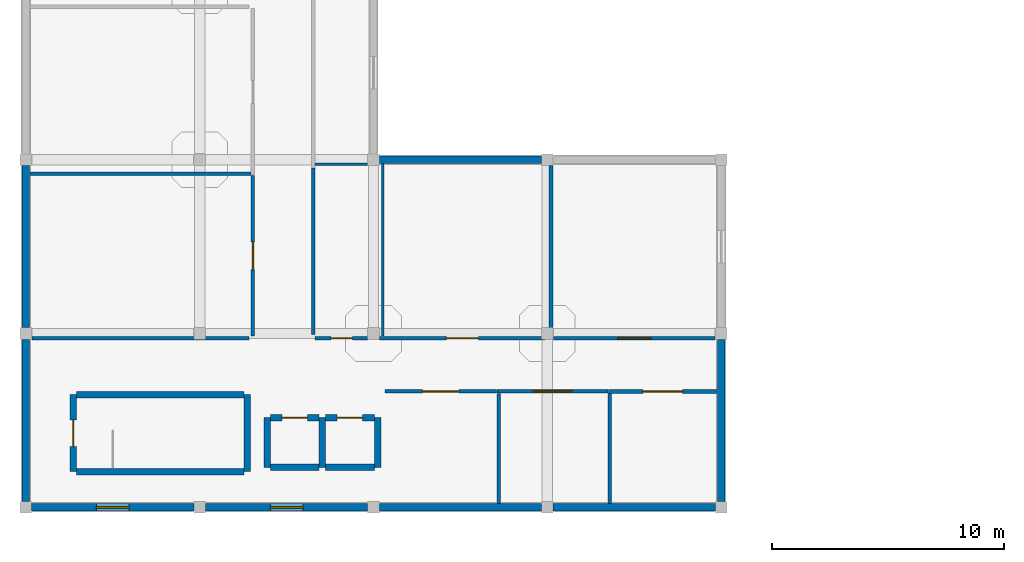
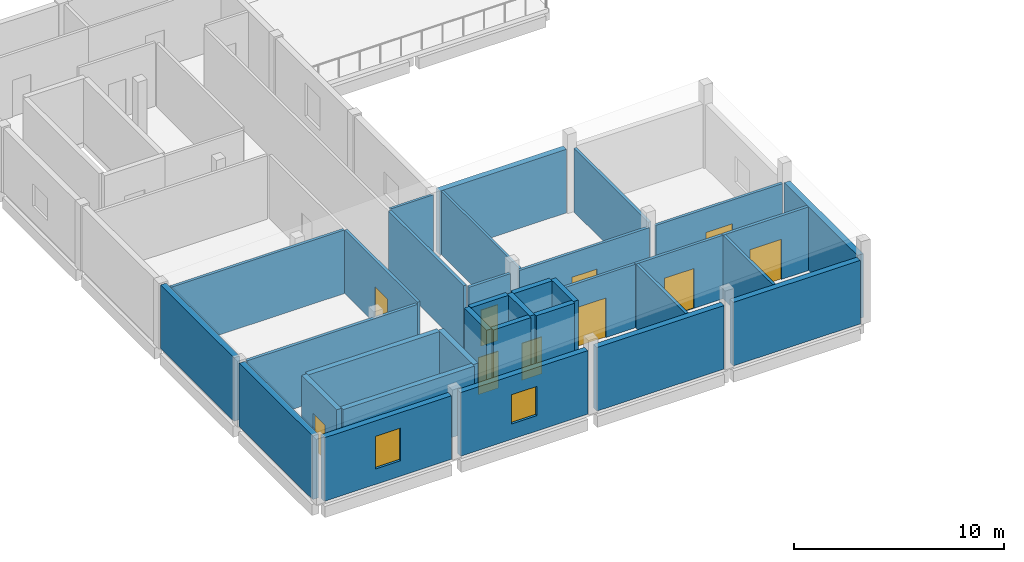
# One storey, part 3 of 8: 34 walls, 10 doors, 2 windows, 12 openings.
"""IFC4 building model written with IfcOpenShell, lengths in metres."""

import ifcopenshell
import ifcopenshell.guid

model = None  # the IFC model being written
_history = None  # IfcOwnerHistory: only IFC2X3 demands one
_inside = {}  # id of a spatial element -> (the spatial element, [elements in it])
_under = {}  # id of a project, library or spatial element -> (it, [spatial elements below it])
_declared = {}  # id of a project -> (the project, [libraries it declares])
_typed = {}  # id of a type object -> (the type object, [elements of that type])
_made_of = {}  # id of a material, layer set ... -> (it, [elements and type objects made of it])


def new_model(schema):
    """Start an empty IFC model of exactly this schema.

    Asked for "IFC4X3", IfcOpenShell would pick the latest addendum, in which some entities
    have other attributes; the version numbers below select the first issue.
    IFC2X3 requires an IfcOwnerHistory on every rooted entity: one is made here for all.
    """
    global model, _history
    if schema == "IFC4X3":
        model = ifcopenshell.file(schema_version=(4, 3, 0, 0))
    else:
        model = ifcopenshell.file(schema=schema)
    _inside.clear()
    _under.clear()
    _declared.clear()
    _typed.clear()
    _made_of.clear()
    _history = None
    if model.schema == "IFC2X3":
        org = make("IfcOrganization", Name="unknown")
        user = make(
            "IfcPersonAndOrganization",
            ThePerson=make("IfcPerson", FamilyName="unknown"),
            TheOrganization=org,
        )
        app = make(
            "IfcApplication",
            ApplicationDeveloper=org,
            Version="unknown",
            ApplicationFullName="unknown",
            ApplicationIdentifier="unknown",
        )
        _history = make(
            "IfcOwnerHistory",
            OwningUser=user,
            OwningApplication=app,
            ChangeAction="ADDED",
            CreationDate=0,
        )
    return model


def make(cls, **values):
    """One entity of the class cls with the attributes given. An attribute that is None is left unset."""
    return model.create_entity(
        cls, **{name: value for name, value in values.items() if value is not None}
    )


def rooted(cls, **values):
    """An entity with a GlobalId (a new one), such as an element, a storey or a relation."""
    return make(cls, GlobalId=ifcopenshell.guid.new(), OwnerHistory=_history, **values)


def si_unit(unit_type, name, prefix=None):
    """IfcSIUnit, for example si_unit("LENGTHUNIT", "METRE", prefix="MILLI")."""
    return make("IfcSIUnit", UnitType=unit_type, Prefix=prefix, Name=name)


def assignment(units):
    """IfcUnitAssignment: the units of a project."""
    return None if units is None else make("IfcUnitAssignment", Units=units)


def point(xyz):
    """IfcCartesianPoint."""
    return None if xyz is None else make("IfcCartesianPoint", Coordinates=xyz)


def direction(xyz):
    """IfcDirection."""
    return None if xyz is None else make("IfcDirection", DirectionRatios=xyz)


def frame(location, z_axis=None, x_axis=None):
    """IfcAxis2Placement3D, a coordinate frame: its origin and axes. An axis left out is left unset."""
    return make(
        "IfcAxis2Placement3D",
        Location=point(location),
        Axis=direction(z_axis),
        RefDirection=direction(x_axis),
    )


def frame_2d(location, x_axis=None):
    """IfcAxis2Placement2D, a coordinate frame in the plane: its origin and x axis."""
    return make(
        "IfcAxis2Placement2D", Location=point(location), RefDirection=direction(x_axis)
    )


def origin():
    """The frame at (0, 0, 0) with its axes left unset."""
    return frame((0.0, 0.0, 0.0))


def place(relative_to, where):
    """IfcLocalPlacement: puts the frame where relative to a parent placement (None: the world)."""
    return make(
        "IfcLocalPlacement", PlacementRelTo=relative_to, RelativePlacement=where
    )


def context(
    kind, dimensions, precision=None, world=None, true_north=None, identifier=None
):
    """IfcGeometricRepresentationContext, for example the 3D "Model" context."""
    return make(
        "IfcGeometricRepresentationContext",
        ContextIdentifier=identifier,
        ContextType=kind,
        CoordinateSpaceDimension=dimensions,
        Precision=precision,
        WorldCoordinateSystem=world,
        TrueNorth=true_north,
    )


def subcontext(parent, identifier, kind, view, scale=None):
    """IfcGeometricRepresentationSubContext, for example "Body" below "Model"."""
    return make(
        "IfcGeometricRepresentationSubContext",
        ContextIdentifier=identifier,
        ContextType=kind,
        ParentContext=parent,
        TargetScale=scale,
        TargetView=view,
    )


def project(units=None, contexts=None):
    """IfcProject with its units and contexts."""
    return rooted(
        "IfcProject",
        Name="project",
        RepresentationContexts=contexts,
        UnitsInContext=assignment(units),
    )


def spatial(cls, under=None, at=None, **own):
    """A site, building, storey or space (cls), placed at a placement, below another one or the project."""
    s = rooted(cls, ObjectPlacement=at, **own)
    if under is not None:
        _under.setdefault(under.id(), (under, []))[1].append(s)
    return s


def profile(cls, at=None, kind="AREA", **sizes):
    """A parametric profile (cls). Its sizes go by their IFC names, for example OverallWidth=200.0."""
    return make(cls, ProfileType=kind, Position=at, **sizes)


def rectangle(**sizes):
    """IfcRectangleProfileDef."""
    return profile("IfcRectangleProfileDef", **sizes)


def extrude(swept, where, along, depth):
    """IfcExtrudedAreaSolid: the profile swept, set in the frame where, extruded along a direction by depth."""
    return make(
        "IfcExtrudedAreaSolid",
        SweptArea=swept,
        Position=where,
        ExtrudedDirection=direction(along),
        Depth=depth,
    )


def shape(context_of_items, identifier, shape_type, items):
    """IfcShapeRepresentation: the items that make up one representation, for example the "Body"."""
    return make(
        "IfcShapeRepresentation",
        ContextOfItems=context_of_items,
        RepresentationIdentifier=identifier,
        RepresentationType=shape_type,
        Items=items,
    )


def material(Name=None, Category=None):
    """IfcMaterial."""
    return make("IfcMaterial", Name=Name, Category=Category)


def layer(
    of_material, thickness, ventilated=None, Name=None, Category=None, Priority=None
):
    """IfcMaterialLayer: one layer of a wall or slab, of a material (None: an air gap)."""
    return make(
        "IfcMaterialLayer",
        Material=of_material,
        LayerThickness=thickness,
        IsVentilated=ventilated,
        Name=Name,
        Category=Category,
        Priority=Priority,
    )


def layer_set(layers, Name=None):
    """IfcMaterialLayerSet."""
    return make("IfcMaterialLayerSet", MaterialLayers=layers, LayerSetName=Name)


def made_of(thing, what):
    """Note that an element or type object is made of a material, layer set ...; save() writes the relation."""
    if what is not None:
        _made_of.setdefault(what.id(), (what, []))[1].append(thing)
    return thing


def type_object(cls, material=None, **own):
    """A type object (cls), such as IfcWallType, which elements share."""
    return made_of(rooted(cls, **own), material)


def element(
    cls,
    number,
    at=None,
    inside=None,
    cuts=None,
    type_object=None,
    material=None,
    context=None,
    identifier="Body",
    shape_type=None,
    held_by="IfcProductDefinitionShape",
    body=None,
    shapes=None,
    **own,
):
    """One element of the class cls, such as IfcWall. Its Tag is "e" and its number.

    at: its placement. inside: the storey or other place that contains it. cuts: it is an
    opening in that element (IfcRelVoidsElement). A single representation is given by context,
    identifier, shape_type and body (its items); several are given by shapes. held_by: the class
    of the entity that holds the representations. save() writes the other relations.
    """
    e = rooted(cls, Tag="e%d" % number, ObjectPlacement=at, **own)
    if body is not None:
        shapes = [shape(context, identifier, shape_type, body)]
    if shapes is not None:
        e.Representation = make(held_by, Representations=shapes)
    if inside is not None:
        _inside.setdefault(inside.id(), (inside, []))[1].append(e)
    if cuts is not None:
        rooted(
            "IfcRelVoidsElement", RelatingBuildingElement=cuts, RelatedOpeningElement=e
        )
    if type_object is not None:
        _typed.setdefault(type_object.id(), (type_object, []))[1].append(e)
    return made_of(e, material)


def fill(opening, filler):
    """IfcRelFillsElement: the door or window that sits in an opening."""
    return rooted(
        "IfcRelFillsElement",
        RelatingOpeningElement=opening,
        RelatedBuildingElement=filler,
    )


def aggregate(whole, parts):
    """IfcRelAggregates: a whole, such as a stair, and the parts it consists of."""
    return rooted("IfcRelAggregates", RelatingObject=whole, RelatedObjects=parts)


def save(model, path):
    """Write the relations noted so far, then the file.

    IfcRelAggregates (storeys below a building ...), IfcRelContainedInSpatialStructure (elements
    in a storey), IfcRelDefinesByType, IfcRelAssociatesMaterial and IfcRelDeclares: one each for
    every whole, place, type object, material and project.
    """
    for whole, parts in _under.values():
        aggregate(whole, parts)
    for where, things in _inside.values():
        rooted(
            "IfcRelContainedInSpatialStructure",
            RelatedElements=things,
            RelatingStructure=where,
        )
    for kind, things in _typed.values():
        rooted("IfcRelDefinesByType", RelatedObjects=things, RelatingType=kind)
    for what, things in _made_of.values():
        rooted("IfcRelAssociatesMaterial", RelatedObjects=things, RelatingMaterial=what)
    for by, libraries in _declared.values():
        rooted("IfcRelDeclares", RelatingContext=by, RelatedDefinitions=libraries)
    model.write(path)


model = new_model("IFC4")

# Units and contexts
model_context = context("Model", 3, precision=1e-05, world=origin(), true_north=direction((0.0, 1.0)))
body_context = subcontext(model_context, "Body", "Model", "MODEL_VIEW")
ifc_project = project(units=[si_unit("LENGTHUNIT", "METRE"), si_unit("AREAUNIT", "SQUARE_METRE"), si_unit("VOLUMEUNIT", "CUBIC_METRE"), si_unit("PLANEANGLEUNIT", "RADIAN"), si_unit("MASSUNIT", "GRAM", prefix="KILO")], contexts=[model_context])

# Site, building, storey
site_placement = place(None, origin())
site = spatial("IfcSite", under=ifc_project, at=site_placement, CompositionType="ELEMENT")
building_placement = place(site_placement, origin())
building = spatial("IfcBuilding", under=site, at=building_placement, Name="Mawjan Specialist Oncology Clinic", CompositionType="ELEMENT")
storey_placement = place(building_placement, frame((0.0, 0.0, 21.5)))
storey = spatial("IfcBuildingStorey", under=building, at=storey_placement, Name="L05", CompositionType="ELEMENT", Elevation=21.5)

# Walls
ifc_material_1 = material(Name="Precast concrete C40/50", Category="concrete")
ifc_layer_1 = layer(ifc_material_1, 0.320068359375, Name="Precast concrete C40/50", Category="concrete")
ifc_layer_set_1 = layer_set([ifc_layer_1], Name="Precast concrete C40/50")
wall_type_1 = type_object("IfcWallType", Name="EW-320", PredefinedType="SOLIDWALL", material=ifc_layer_set_1)
for number, where, z_axis, x_axis, name in (
    (1, (15.25, 15.800048828125, 0.0), (0.0, 0.0, 1.0), (1.0, 0.0, 0.0), "L05 Coral-Limestone Exterior Wall EW-L05-379"),
    (2, (30.0, 8.050048828125, 0.0), (0.0, 0.0, 1.0), (0.0, -1.0, 0.0), "L05 Coral-Limestone Exterior Wall EW-L05-382"),
    (3, (29.75, 0.800048828125, 0.0), (0.0, 0.0, 1.0), (-1.0, 0.0, 0.0), "L05 Coral-Limestone Exterior Wall EW-L05-383"),
    (4, (22.25, 0.800048828125, 0.0), (0.0, 0.0, 1.0), (-1.0, 0.0, 0.0), "L05 Coral-Limestone Exterior Wall EW-L05-384"),
):
    element("IfcWall", number, at=place(storey_placement, frame(where, z_axis=z_axis, x_axis=x_axis)), inside=storey, type_object=wall_type_1, Name=name, PredefinedType="SOLIDWALL", context=body_context, shape_type="SweptSolid", body=[
        extrude(rectangle(XDim=7.0, YDim=0.320068359375, at=frame_2d((3.5, 0.0))), origin(), (0.0, 0.0, 1.0), 3.699951171875),
    ])

# Wall, opening, window
wall_1_placement = place(storey_placement, frame((14.75, 0.800048828125, 0.0), z_axis=(0.0, 0.0, 1.0), x_axis=(-1.0, 0.0, 0.0)))
wall_1 = element("IfcWall", 5, at=wall_1_placement, inside=storey, type_object=wall_type_1, Name="L05 Coral-Limestone Exterior Wall EW-L05-385", PredefinedType="SOLIDWALL", context=body_context, shape_type="SweptSolid", body=[
    extrude(rectangle(XDim=7.0, YDim=0.320068359375, at=frame_2d((3.5, 0.0))), origin(), (0.0, 0.0, 1.0), 3.699951171875),
])
opening_1_placement = place(wall_1_placement, frame((2.800048828125, 0.0, 0.89990234375)))
opening_1 = element("IfcOpeningElement", 6, at=opening_1_placement, cuts=wall_1, Name="Opening WN-15", PredefinedType="OPENING", context=body_context, shape_type="SweptSolid", body=[
    extrude(rectangle(XDim=1.39990234375, YDim=1.699951171875, at=frame_2d((0.699951171875, 0.85009765625))), frame((0.0, 0.172119140625, 0.0), z_axis=(0.0, -1.0, 0.0), x_axis=(1.0, 0.0, 0.0)), (0.0, 0.0, 1.0), 0.343994140625),
])
ifc_material_2 = material(Name="Thermally broken low-E clinical aluminium window", Category="aluminium")
window_type_1 = type_object("IfcWindowType", Name="WN-15", PartitioningType="SINGLE_PANEL", PredefinedType="WINDOW", material=ifc_material_2)
window_1_placement = place(opening_1_placement, origin())
window_1 = element("IfcWindow", 7, at=window_1_placement, inside=storey, type_object=window_type_1, Name="L05 Clinical Low-E Window 083", OverallHeight=1.699951171875, OverallWidth=1.39990234375, PartitioningType="SINGLE_PANEL", PredefinedType="WINDOW", context=body_context, shape_type="SweptSolid", body=[
    extrude(rectangle(XDim=1.39990234375, YDim=1.699951171875, at=frame_2d((0.699951171875, 0.85009765625))), frame((0.0, 0.030029296875, 0.0), z_axis=(0.0, -1.0, 0.0), x_axis=(1.0, 0.0, 0.0)), (0.0, 0.0, 1.0), 0.06005859375),
])
fill(opening_1, window_1)

wall_2_placement = place(storey_placement, frame((7.25, 0.800048828125, 0.0), z_axis=(0.0, 0.0, 1.0), x_axis=(-1.0, 0.0, 0.0)))
wall_2 = element("IfcWall", 8, at=wall_2_placement, inside=storey, type_object=wall_type_1, Name="L05 Coral-Limestone Exterior Wall EW-L05-386", PredefinedType="SOLIDWALL", context=body_context, shape_type="SweptSolid", body=[
    extrude(rectangle(XDim=7.0, YDim=0.320068359375, at=frame_2d((3.5, 0.0))), origin(), (0.0, 0.0, 1.0), 3.699951171875),
])
opening_2_placement = place(wall_2_placement, frame((2.800048828125, 0.0, 0.89990234375)))
opening_2 = element("IfcOpeningElement", 9, at=opening_2_placement, cuts=wall_2, Name="Opening WN-16", PredefinedType="OPENING", context=body_context, shape_type="SweptSolid", body=[
    extrude(rectangle(XDim=1.39990234375, YDim=1.89990234375, at=frame_2d((0.699951171875, 0.949951171875))), frame((0.0, 0.172119140625, 0.0), z_axis=(0.0, -1.0, 0.0), x_axis=(1.0, 0.0, 0.0)), (0.0, 0.0, 1.0), 0.343994140625),
])
ifc_material_3 = material(Name="Thermally broken low-E clinical aluminium window", Category="aluminium")
window_type_2 = type_object("IfcWindowType", Name="WN-16", PartitioningType="SINGLE_PANEL", PredefinedType="WINDOW", material=ifc_material_3)
window_2_placement = place(opening_2_placement, origin())
window_2 = element("IfcWindow", 10, at=window_2_placement, inside=storey, type_object=window_type_2, Name="L05 Clinical Low-E Window 084", OverallHeight=1.89990234375, OverallWidth=1.39990234375, PartitioningType="SINGLE_PANEL", PredefinedType="WINDOW", context=body_context, shape_type="SweptSolid", body=[
    extrude(rectangle(XDim=1.39990234375, YDim=1.89990234375, at=frame_2d((0.699951171875, 0.949951171875))), frame((0.0, 0.030029296875, 0.0), z_axis=(0.0, -1.0, 0.0), x_axis=(1.0, 0.0, 0.0)), (0.0, 0.0, 1.0), 0.06005859375),
])
fill(opening_2, window_2)

# Walls
for number, where, z_axis, x_axis, name in (
    (11, (0.0, 1.050048828125, 0.0), (0.0, 0.0, 1.0), (0.0, 1.0, 0.0), "L05 Coral-Limestone Exterior Wall EW-L05-387"),
    (12, (0.0, 8.550048828125, 0.0), (0.0, 0.0, 1.0), (0.0, 1.0, 0.0), "L05 Coral-Limestone Exterior Wall EW-L05-388"),
):
    element("IfcWall", number, at=place(storey_placement, frame(where, z_axis=z_axis, x_axis=x_axis)), inside=storey, type_object=wall_type_1, Name=name, PredefinedType="SOLIDWALL", context=body_context, shape_type="SweptSolid", body=[
        extrude(rectangle(XDim=7.0, YDim=0.320068359375, at=frame_2d((3.5, 0.0))), origin(), (0.0, 0.0, 1.0), 3.699951171875),
    ])
ifc_material_4 = material(Name="Concrete C45/55", Category="concrete")
ifc_layer_2 = layer(ifc_material_4, 0.280029296875, Name="Concrete C45/55", Category="concrete")
ifc_layer_set_2 = layer_set([ifc_layer_2], Name="Concrete C45/55")
wall_type_2 = type_object("IfcWallType", Name="SW-300", PredefinedType="SHEAR", material=ifc_layer_set_2)
wall_3_placement = place(storey_placement, frame((2.18505859375, 2.340087890625, 0.0), z_axis=(0.0, 0.0, 1.0), x_axis=(1.0, 0.0, 0.0)))
element("IfcWall", 13, at=wall_3_placement, inside=storey, type_object=wall_type_2, Name="L05 Core K1 Stair Shear Wall 1", PredefinedType="SHEAR", context=body_context, shape_type="SweptSolid", body=[
    extrude(rectangle(XDim=7.22998046875, YDim=0.280029296875, at=frame_2d((3.614990234375, 0.0))), origin(), (0.0, 0.0, 1.0), 3.719970703125),
])
wall_4_placement = place(storey_placement, frame((9.56005859375, 2.340087890625, 0.0), z_axis=(0.0, 0.0, 1.0), x_axis=(0.0, 1.0, 0.0)))
element("IfcWall", 14, at=wall_4_placement, inside=storey, type_object=wall_type_2, Name="L05 Core K1 Stair Shear Wall 2", PredefinedType="SHEAR", context=body_context, shape_type="SweptSolid", body=[
    extrude(rectangle(XDim=3.31982421875, YDim=0.280029296875, at=frame_2d((1.659912109375, 0.0))), origin(), (0.0, 0.0, 1.0), 3.719970703125),
])
wall_5_placement = place(storey_placement, frame((9.4150390625, 5.659912109375, 0.0), z_axis=(0.0, 0.0, 1.0), x_axis=(-1.0, 0.0, 0.0)))
element("IfcWall", 15, at=wall_5_placement, inside=storey, type_object=wall_type_2, Name="L05 Core K1 Stair Shear Wall 3", PredefinedType="SHEAR", context=body_context, shape_type="SweptSolid", body=[
    extrude(rectangle(XDim=7.22998046875, YDim=0.280029296875, at=frame_2d((3.614990234375, 0.0))), origin(), (0.0, 0.0, 1.0), 3.719970703125),
])

# Wall, opening, door
wall_6_placement = place(storey_placement, frame((2.0400390625, 5.659912109375, 0.0), z_axis=(0.0, 0.0, 1.0), x_axis=(0.0, -1.0, 0.0)))
wall_6 = element("IfcWall", 16, at=wall_6_placement, inside=storey, type_object=wall_type_2, Name="L05 Core K1 Stair Shear Wall 4", PredefinedType="SHEAR", context=body_context, shape_type="SweptSolid", body=[
    extrude(rectangle(XDim=3.31982421875, YDim=0.280029296875, at=frame_2d((1.659912109375, 0.0))), origin(), (0.0, 0.0, 1.0), 3.719970703125),
])
opening_3_placement = place(wall_6_placement, frame((1.0849609375, 0.0, 0.0)))
opening_3 = element("IfcOpeningElement", 17, at=opening_3_placement, cuts=wall_6, Name="Opening FD-90", PredefinedType="OPENING", context=body_context, shape_type="SweptSolid", body=[
    extrude(rectangle(XDim=1.14990234375, YDim=2.14990234375, at=frame_2d((0.574951171875, 1.074951171875))), frame((0.0, 0.152099609375, 0.0), z_axis=(0.0, -1.0, 0.0), x_axis=(1.0, 0.0, 0.0)), (0.0, 0.0, 1.0), 0.303955078125),
])
ifc_material_5 = material(Name="Stainless-steel fire-rated hospital door", Category="steel")
door_type_1 = type_object("IfcDoorType", Name="FD-90", OperationType="NOTDEFINED", PredefinedType="DOOR", material=ifc_material_5)
door_1_placement = place(opening_3_placement, origin())
door_1 = element("IfcDoor", 18, at=door_1_placement, inside=storey, type_object=door_type_1, Name="L05 ST-01 Fire Exit Stair Door", OperationType="SINGLE_SWING_RIGHT", OverallHeight=2.14990234375, OverallWidth=1.14990234375, PredefinedType="DOOR", context=body_context, shape_type="SweptSolid", body=[
    extrude(rectangle(XDim=1.14990234375, YDim=2.14990234375, at=frame_2d((0.574951171875, 1.074951171875))), frame((0.0, 0.02490234375, 0.0), z_axis=(0.0, -1.0, 0.0), x_axis=(1.0, 0.0, 0.0)), (0.0, 0.0, 1.0), 0.050048828125),
])
fill(opening_3, door_1)

# Walls
wall_7_placement = place(storey_placement, frame((10.5615234375, 2.529296875, 0.0), z_axis=(0.0, 0.0, 1.0), x_axis=(1.0, 0.0, 0.0)))
element("IfcWall", 19, at=wall_7_placement, inside=storey, type_object=wall_type_2, Name="L05 LF-03 Hoistway Wall 1", PredefinedType="SHEAR", context=body_context, shape_type="SweptSolid", body=[
    extrude(rectangle(XDim=2.076904296875, YDim=0.280029296875, at=frame_2d((1.03857421875, 0.0))), origin(), (0.0, 0.0, 1.0), 5.300048828125),
])
wall_8_placement = place(storey_placement, frame((12.783447265625, 2.529296875, 0.0), z_axis=(0.0, 0.0, 1.0), x_axis=(0.0, 1.0, 0.0)))
element("IfcWall", 20, at=wall_8_placement, inside=storey, type_object=wall_type_2, Name="L05 LF-03 Hoistway Wall 2", PredefinedType="SHEAR", context=body_context, shape_type="SweptSolid", body=[
    extrude(rectangle(XDim=2.141357421875, YDim=0.280029296875, at=frame_2d((1.07080078125, 0.0))), origin(), (0.0, 0.0, 1.0), 5.300048828125),
])

# Wall, opening, door
wall_9_placement = place(storey_placement, frame((12.638427734375, 4.670654296875, 0.0), z_axis=(0.0, 0.0, 1.0), x_axis=(-1.0, 0.0, 0.0)))
wall_9 = element("IfcWall", 21, at=wall_9_placement, inside=storey, type_object=wall_type_2, Name="L05 LF-03 Hoistway Wall 3", PredefinedType="SHEAR", context=body_context, shape_type="SweptSolid", body=[
    extrude(rectangle(XDim=2.076904296875, YDim=0.280029296875, at=frame_2d((1.03857421875, 0.0))), origin(), (0.0, 0.0, 1.0), 5.300048828125),
])
opening_4_placement = place(wall_9_placement, frame((0.488525390625, 0.0, 0.0)))
opening_4 = element("IfcOpeningElement", 22, at=opening_4_placement, cuts=wall_9, Name="Opening LD-03-L05", PredefinedType="OPENING", context=body_context, shape_type="SweptSolid", body=[
    extrude(rectangle(XDim=1.10009765625, YDim=2.14990234375, at=frame_2d((0.550048828125, 1.074951171875))), frame((0.0, 0.152099609375, 0.0), z_axis=(0.0, -1.0, 0.0), x_axis=(1.0, 0.0, 0.0)), (0.0, 0.0, 1.0), 0.303955078125),
])
ifc_material_6 = material(Name="Stainless-steel fire-rated hospital door", Category="steel")
door_type_2 = type_object("IfcDoorType", Name="LD-110", OperationType="SLIDING_TO_RIGHT", PredefinedType="DOOR", material=ifc_material_6)
door_2_placement = place(opening_4_placement, origin())
door_2 = element("IfcDoor", 23, at=door_2_placement, inside=storey, type_object=door_type_2, Name="L05 LF-03 Sliding Lift Landing Door", OperationType="SLIDING_TO_LEFT", OverallHeight=2.14990234375, OverallWidth=1.10009765625, PredefinedType="DOOR", context=body_context, shape_type="SweptSolid", body=[
    extrude(rectangle(XDim=1.10009765625, YDim=2.14990234375, at=frame_2d((0.550048828125, 1.074951171875))), frame((0.0, 0.02490234375, 0.0), z_axis=(0.0, -1.0, 0.0), x_axis=(1.0, 0.0, 0.0)), (0.0, 0.0, 1.0), 0.050048828125),
])
fill(opening_4, door_2)

# Walls
wall_10_placement = place(storey_placement, frame((10.41650390625, 4.670654296875, 0.0), z_axis=(0.0, 0.0, 1.0), x_axis=(0.0, -1.0, 0.0)))
element("IfcWall", 24, at=wall_10_placement, inside=storey, type_object=wall_type_2, Name="L05 LF-03 Hoistway Wall 4", PredefinedType="SHEAR", context=body_context, shape_type="SweptSolid", body=[
    extrude(rectangle(XDim=2.141357421875, YDim=0.280029296875, at=frame_2d((1.07080078125, 0.0))), origin(), (0.0, 0.0, 1.0), 5.300048828125),
])
wall_11_placement = place(storey_placement, frame((12.928466796875, 2.529296875, 0.0), z_axis=(0.0, 0.0, 1.0), x_axis=(1.0, 0.0, 0.0)))
element("IfcWall", 25, at=wall_11_placement, inside=storey, type_object=wall_type_2, Name="L05 LF-04 Hoistway Wall 1", PredefinedType="SHEAR", context=body_context, shape_type="SweptSolid", body=[
    extrude(rectangle(XDim=2.110107421875, YDim=0.280029296875, at=frame_2d((1.05517578125, 0.0))), origin(), (0.0, 0.0, 1.0), 5.300048828125),
])
wall_12_placement = place(storey_placement, frame((15.18359375, 2.529296875, 0.0), z_axis=(0.0, 0.0, 1.0), x_axis=(0.0, 1.0, 0.0)))
element("IfcWall", 26, at=wall_12_placement, inside=storey, type_object=wall_type_2, Name="L05 LF-04 Hoistway Wall 2", PredefinedType="SHEAR", context=body_context, shape_type="SweptSolid", body=[
    extrude(rectangle(XDim=2.141357421875, YDim=0.280029296875, at=frame_2d((1.07080078125, 0.0))), origin(), (0.0, 0.0, 1.0), 5.300048828125),
])

# Wall, opening, door
wall_13_placement = place(storey_placement, frame((15.03857421875, 4.670654296875, 0.0), z_axis=(0.0, 0.0, 1.0), x_axis=(-1.0, 0.0, 0.0)))
wall_13 = element("IfcWall", 27, at=wall_13_placement, inside=storey, type_object=wall_type_2, Name="L05 LF-04 Hoistway Wall 3", PredefinedType="SHEAR", context=body_context, shape_type="SweptSolid", body=[
    extrude(rectangle(XDim=2.110107421875, YDim=0.280029296875, at=frame_2d((1.05517578125, 0.0))), origin(), (0.0, 0.0, 1.0), 5.300048828125),
])
opening_5_placement = place(wall_13_placement, frame((0.5048828125, 0.0, 0.0)))
opening_5 = element("IfcOpeningElement", 28, at=opening_5_placement, cuts=wall_13, Name="Opening LD-04-L05", PredefinedType="OPENING", context=body_context, shape_type="SweptSolid", body=[
    extrude(rectangle(XDim=1.10009765625, YDim=2.14990234375, at=frame_2d((0.550048828125, 1.074951171875))), frame((0.0, 0.152099609375, 0.0), z_axis=(0.0, -1.0, 0.0), x_axis=(1.0, 0.0, 0.0)), (0.0, 0.0, 1.0), 0.303955078125),
])
door_3_placement = place(opening_5_placement, origin())
door_3 = element("IfcDoor", 29, at=door_3_placement, inside=storey, type_object=door_type_2, Name="L05 LF-04 Sliding Lift Landing Door", OperationType="SLIDING_TO_RIGHT", OverallHeight=2.14990234375, OverallWidth=1.10009765625, PredefinedType="DOOR", context=body_context, shape_type="SweptSolid", body=[
    extrude(rectangle(XDim=1.10009765625, YDim=2.14990234375, at=frame_2d((0.550048828125, 1.074951171875))), frame((0.0, 0.02490234375, 0.0), z_axis=(0.0, -1.0, 0.0), x_axis=(1.0, 0.0, 0.0)), (0.0, 0.0, 1.0), 0.050048828125),
])
fill(opening_5, door_3)

# Walls
ifc_material_7 = material(Name="Moisture-resistant washroom partition", Category="gypsum")
ifc_layer_3 = layer(ifc_material_7, 0.125, Name="Moisture-resistant washroom partition", Category="gypsum")
ifc_layer_set_3 = layer_set([ifc_layer_3], Name="Moisture-resistant washroom partition")
wall_type_3 = type_object("IfcWallType", Name="WP-125", PredefinedType="PARTITIONING", material=ifc_layer_set_3)
wall_14_placement = place(storey_placement, frame((12.485107421875, 15.60009765625, 0.0), z_axis=(0.0, 0.0, 1.0), x_axis=(1.0, 0.0, 0.0)))
element("IfcWall", 30, at=wall_14_placement, inside=storey, type_object=wall_type_3, Name="L05 Interior Partition W-INT-L05-534-R", PredefinedType="PARTITIONING", context=body_context, shape_type="SweptSolid", body=[
    extrude(rectangle(XDim=2.38037109375, YDim=0.125, at=frame_2d((1.190185546875, 0.0))), origin(), (0.0, 0.0, 1.0), 3.699951171875),
])
wall_15_placement = place(storey_placement, frame((15.39990234375, 8.18701171875, 0.0), z_axis=(0.0, 0.0, 1.0), x_axis=(0.0, 1.0, 0.0)))
element("IfcWall", 31, at=wall_15_placement, inside=storey, type_object=wall_type_3, Name="L05 Interior Partition W-INT-L05-0521-D0", PredefinedType="PARTITIONING", context=body_context, shape_type="SweptSolid", body=[
    extrude(rectangle(XDim=7.44091796875, YDim=0.125, at=frame_2d((3.720458984375, 0.0))), origin(), (0.0, 0.0, 1.0), 3.699951171875),
])

# Wall, opening, door
ifc_material_8 = material(Name="Acoustic gypsum clinical partition", Category="gypsum")
ifc_layer_4 = layer(ifc_material_8, 0.14990234375, Name="Acoustic gypsum clinical partition", Category="gypsum")
ifc_layer_set_4 = layer_set([ifc_layer_4], Name="Acoustic gypsum clinical partition")
wall_type_4 = type_object("IfcWallType", Name="WP-150", PredefinedType="PARTITIONING", material=ifc_layer_set_4)
wall_16_placement = place(storey_placement, frame((15.485107421875, 5.800048828125, 0.0), z_axis=(0.0, 0.0, 1.0), x_axis=(1.0, 0.0, 0.0)))
wall_16 = element("IfcWall", 32, at=wall_16_placement, inside=storey, type_object=wall_type_4, Name="L05 Interior Partition W-INT-L05-501-C", PredefinedType="PARTITIONING", context=body_context, shape_type="SweptSolid", body=[
    extrude(rectangle(XDim=4.829833984375, YDim=0.14990234375, at=frame_2d((2.4150390625, 0.0))), origin(), (0.0, 0.0, 1.0), 3.699951171875),
])
opening_6_placement = place(wall_16_placement, frame((1.635009765625, 0.0, 0.0)))
opening_6 = element("IfcOpeningElement", 33, at=opening_6_placement, cuts=wall_16, Name="Opening DC-156", PredefinedType="OPENING", context=body_context, shape_type="SweptSolid", body=[
    extrude(rectangle(XDim=1.56005859375, YDim=2.300048828125, at=frame_2d((0.780029296875, 1.14990234375))), frame((0.0, 0.0869140625, 0.0), z_axis=(0.0, -1.0, 0.0), x_axis=(1.0, 0.0, 0.0)), (0.0, 0.0, 1.0), 0.173828125),
])
ifc_material_9 = material(Name="Acoustic laminate hospital door leaf", Category="wood")
door_type_3 = type_object("IfcDoorType", Name="DC-156", OperationType="NOTDEFINED", PredefinedType="DOOR", material=ifc_material_9)
door_4_placement = place(opening_6_placement, origin())
door_4 = element("IfcDoor", 34, at=door_4_placement, inside=storey, type_object=door_type_3, Name="L05 Senior Specialist Consulting Room Door", OperationType="SINGLE_SWING_LEFT", OverallHeight=2.300048828125, OverallWidth=1.56005859375, PredefinedType="DOOR", context=body_context, shape_type="SweptSolid", body=[
    extrude(rectangle(XDim=1.56005859375, YDim=2.300048828125, at=frame_2d((0.780029296875, 1.14990234375))), frame((0.0, 0.02490234375, 0.0), z_axis=(0.0, -1.0, 0.0), x_axis=(1.0, 0.0, 0.0)), (0.0, 0.0, 1.0), 0.050048828125),
])
fill(opening_6, door_4)

wall_17_placement = place(storey_placement, frame((20.326904296875, 5.800048828125, 0.0), z_axis=(0.0, 0.0, 1.0), x_axis=(1.0, 0.0, 0.0)))
wall_17 = element("IfcWall", 35, at=wall_17_placement, inside=storey, type_object=wall_type_4, Name="L05 Interior Partition W-INT-L05-502-C", PredefinedType="PARTITIONING", context=body_context, shape_type="SweptSolid", body=[
    extrude(rectangle(XDim=4.7880859375, YDim=0.14990234375, at=frame_2d((2.39404296875, 0.0))), origin(), (0.0, 0.0, 1.0), 3.699951171875),
])
opening_7_placement = place(wall_17_placement, frame((1.569091796875, 0.0, 0.0)))
opening_7 = element("IfcOpeningElement", 36, at=opening_7_placement, cuts=wall_17, Name="Opening DC-165", PredefinedType="OPENING", context=body_context, shape_type="SweptSolid", body=[
    extrude(rectangle(XDim=1.64990234375, YDim=2.320068359375, at=frame_2d((0.824951171875, 1.16015625))), frame((0.0, 0.0869140625, 0.0), z_axis=(0.0, -1.0, 0.0), x_axis=(1.0, 0.0, 0.0)), (0.0, 0.0, 1.0), 0.173828125),
])
ifc_material_10 = material(Name="Acoustic laminate hospital door leaf", Category="wood")
door_type_4 = type_object("IfcDoorType", Name="DC-165", OperationType="NOTDEFINED", PredefinedType="DOOR", material=ifc_material_10)
door_5_placement = place(opening_7_placement, origin())
door_5 = element("IfcDoor", 37, at=door_5_placement, inside=storey, type_object=door_type_4, Name="L05 Tele-Oncology Review Room Door", OperationType="SINGLE_SWING_RIGHT", OverallHeight=2.320068359375, OverallWidth=1.64990234375, PredefinedType="DOOR", context=body_context, shape_type="SweptSolid", body=[
    extrude(rectangle(XDim=1.64990234375, YDim=2.320068359375, at=frame_2d((0.824951171875, 1.16015625))), frame((0.0, 0.02490234375, 0.0), z_axis=(0.0, -1.0, 0.0), x_axis=(1.0, 0.0, 0.0)), (0.0, 0.0, 1.0), 0.050048828125),
])
fill(opening_7, door_5)

wall_18_placement = place(storey_placement, frame((15.261962890625, 8.10009765625, 0.0), z_axis=(0.0, 0.0, 1.0), x_axis=(1.0, 0.0, 0.0)))
wall_18 = element("IfcWall", 38, at=wall_18_placement, inside=storey, type_object=wall_type_4, Name="L05 Interior Partition W-INT-L05-0521-C", PredefinedType="PARTITIONING", context=body_context, shape_type="SweptSolid", body=[
    extrude(rectangle(XDim=7.14599609375, YDim=0.14990234375, at=frame_2d((3.572998046875, 0.0))), origin(), (0.0, 0.0, 1.0), 3.699951171875),
])
opening_8_placement = place(wall_18_placement, frame((2.883056640625, 0.0, 0.0)))
opening_8 = element("IfcOpeningElement", 39, at=opening_8_placement, cuts=wall_18, Name="Opening DM-MRI", PredefinedType="OPENING", context=body_context, shape_type="SweptSolid", body=[
    extrude(rectangle(XDim=1.3798828125, YDim=2.300048828125, at=frame_2d((0.68994140625, 1.14990234375))), frame((0.0, 0.0869140625, 0.0), z_axis=(0.0, -1.0, 0.0), x_axis=(1.0, 0.0, 0.0)), (0.0, 0.0, 1.0), 0.173828125),
])
ifc_material_11 = material(Name="Acoustic laminate hospital door leaf", Category="wood")
door_type_5 = type_object("IfcDoorType", Name="DM-MRI", OperationType="NOTDEFINED", PredefinedType="DOOR", material=ifc_material_11)
door_6_placement = place(opening_8_placement, origin())
door_6 = element("IfcDoor", 40, at=door_6_placement, inside=storey, type_object=door_type_5, Name="L05 Specialist Diagnostic Exam Room Door", OperationType="SINGLE_SWING_LEFT", OverallHeight=2.300048828125, OverallWidth=1.3798828125, PredefinedType="DOOR", context=body_context, shape_type="SweptSolid", body=[
    extrude(rectangle(XDim=1.3798828125, YDim=2.300048828125, at=frame_2d((0.68994140625, 1.14990234375))), frame((0.0, 0.02490234375, 0.0), z_axis=(0.0, -1.0, 0.0), x_axis=(1.0, 0.0, 0.0)), (0.0, 0.0, 1.0), 0.050048828125),
])
fill(opening_8, door_6)

wall_19_placement = place(storey_placement, frame((22.761962890625, 8.10009765625, 0.0), z_axis=(0.0, 0.0, 1.0), x_axis=(1.0, 0.0, 0.0)))
wall_19 = element("IfcWall", 41, at=wall_19_placement, inside=storey, type_object=wall_type_4, Name="L05 Interior Partition W-INT-L05-0522-C", PredefinedType="PARTITIONING", context=body_context, shape_type="SweptSolid", body=[
    extrude(rectangle(XDim=6.97607421875, YDim=0.14990234375, at=frame_2d((3.488037109375, 0.0))), origin(), (0.0, 0.0, 1.0), 3.699951171875),
])
opening_9_placement = place(wall_19_placement, frame((2.76806640625, 0.0, 0.0)))
opening_9 = element("IfcOpeningElement", 42, at=opening_9_placement, cuts=wall_19, Name="Opening DM-CT", PredefinedType="OPENING", context=body_context, shape_type="SweptSolid", body=[
    extrude(rectangle(XDim=1.43994140625, YDim=2.320068359375, at=frame_2d((0.719970703125, 1.16015625))), frame((0.0, 0.0869140625, 0.0), z_axis=(0.0, -1.0, 0.0), x_axis=(1.0, 0.0, 0.0)), (0.0, 0.0, 1.0), 0.173828125),
])
ifc_material_12 = material(Name="Acoustic laminate hospital door leaf", Category="wood")
door_type_6 = type_object("IfcDoorType", Name="DM-CT", OperationType="NOTDEFINED", PredefinedType="DOOR", material=ifc_material_12)
door_7_placement = place(opening_9_placement, origin())
door_7 = element("IfcDoor", 43, at=door_7_placement, inside=storey, type_object=door_type_6, Name="L05 Oncology Nurse Counseling Room Door", OperationType="SINGLE_SWING_RIGHT", OverallHeight=2.320068359375, OverallWidth=1.43994140625, PredefinedType="DOOR", context=body_context, shape_type="SweptSolid", body=[
    extrude(rectangle(XDim=1.43994140625, YDim=2.320068359375, at=frame_2d((0.719970703125, 1.16015625))), frame((0.0, 0.02490234375, 0.0), z_axis=(0.0, -1.0, 0.0), x_axis=(1.0, 0.0, 0.0)), (0.0, 0.0, 1.0), 0.050048828125),
])
fill(opening_9, door_7)

wall_20_placement = place(storey_placement, frame((9.800048828125, 8.18505859375, 0.0), z_axis=(0.0, 0.0, 1.0), x_axis=(0.0, 1.0, 0.0)))
wall_20 = element("IfcWall", 44, at=wall_20_placement, inside=storey, type_object=wall_type_4, Name="L05 Interior Partition W-INT-L05-0531-V", PredefinedType="PARTITIONING", context=body_context, shape_type="SweptSolid", body=[
    extrude(rectangle(XDim=6.929931640625, YDim=0.14990234375, at=frame_2d((3.46484375, 0.0))), origin(), (0.0, 0.0, 1.0), 3.699951171875),
])
opening_10_placement = place(wall_20_placement, frame((2.864990234375, 0.0, 0.0)))
opening_10 = element("IfcOpeningElement", 45, at=opening_10_placement, cuts=wall_20, Name="Opening DC-120", PredefinedType="OPENING", context=body_context, shape_type="SweptSolid", body=[
    extrude(rectangle(XDim=1.199951171875, YDim=2.14990234375, at=frame_2d((0.60009765625, 1.074951171875))), frame((0.0, 0.0869140625, 0.0), z_axis=(0.0, -1.0, 0.0), x_axis=(1.0, 0.0, 0.0)), (0.0, 0.0, 1.0), 0.173828125),
])
ifc_material_13 = material(Name="Acoustic laminate hospital door leaf", Category="wood")
door_type_7 = type_object("IfcDoorType", Name="DC-120", OperationType="NOTDEFINED", PredefinedType="DOOR", material=ifc_material_13)
door_8_placement = place(opening_10_placement, origin())
door_8 = element("IfcDoor", 46, at=door_8_placement, inside=storey, type_object=door_type_7, Name="L05 Outpatient Consultation Room Door", OperationType="SINGLE_SWING_LEFT", OverallHeight=2.14990234375, OverallWidth=1.199951171875, PredefinedType="DOOR", context=body_context, shape_type="SweptSolid", body=[
    extrude(rectangle(XDim=1.199951171875, YDim=2.14990234375, at=frame_2d((0.60009765625, 1.074951171875))), frame((0.0, 0.02490234375, 0.0), z_axis=(0.0, -1.0, 0.0), x_axis=(1.0, 0.0, 0.0)), (0.0, 0.0, 1.0), 0.050048828125),
])
fill(opening_10, door_8)

wall_21_placement = place(storey_placement, frame((12.485107421875, 8.10009765625, 0.0), z_axis=(0.0, 0.0, 1.0), x_axis=(1.0, 0.0, 0.0)))
wall_21 = element("IfcWall", 47, at=wall_21_placement, inside=storey, type_object=wall_type_4, Name="L05 Interior Partition W-INT-L05-534-C", PredefinedType="PARTITIONING", context=body_context, shape_type="SweptSolid", body=[
    extrude(rectangle(XDim=2.284912109375, YDim=0.14990234375, at=frame_2d((1.142578125, 0.0))), origin(), (0.0, 0.0, 1.0), 3.699951171875),
])
opening_11_placement = place(wall_21_placement, frame((0.6826171875, 0.0, 0.0)))
opening_11 = element("IfcOpeningElement", 48, at=opening_11_placement, cuts=wall_21, Name="Opening DI-92", PredefinedType="OPENING", context=body_context, shape_type="SweptSolid", body=[
    extrude(rectangle(XDim=0.919921875, YDim=2.10009765625, at=frame_2d((0.4599609375, 1.050048828125))), frame((0.0, 0.0869140625, 0.0), z_axis=(0.0, -1.0, 0.0), x_axis=(1.0, 0.0, 0.0)), (0.0, 0.0, 1.0), 0.173828125),
])
ifc_material_14 = material(Name="Acoustic laminate hospital door leaf", Category="wood")
door_type_8 = type_object("IfcDoorType", Name="DI-92", OperationType="NOTDEFINED", PredefinedType="DOOR", material=ifc_material_14)
door_9_placement = place(opening_11_placement, origin())
door_9 = element("IfcDoor", 49, at=door_9_placement, inside=storey, type_object=door_type_8, Name="L05 Oncology Day Assessment Room Door", OperationType="SINGLE_SWING_LEFT", OverallHeight=2.10009765625, OverallWidth=0.919921875, PredefinedType="DOOR", context=body_context, shape_type="SweptSolid", body=[
    extrude(rectangle(XDim=0.919921875, YDim=2.10009765625, at=frame_2d((0.4599609375, 1.050048828125))), frame((0.0, 0.02490234375, 0.0), z_axis=(0.0, -1.0, 0.0), x_axis=(1.0, 0.0, 0.0)), (0.0, 0.0, 1.0), 0.050048828125),
])
fill(opening_11, door_9)

# Walls
wall_22_placement = place(storey_placement, frame((25.199951171875, 0.971923828125, 0.0), z_axis=(0.0, 0.0, 1.0), x_axis=(0.0, 1.0, 0.0)))
element("IfcWall", 50, at=wall_22_placement, inside=storey, type_object=wall_type_4, Name="L05 Interior Partition W-INT-L05-502-D", PredefinedType="PARTITIONING", context=body_context, shape_type="SweptSolid", body=[
    extrude(rectangle(XDim=4.736083984375, YDim=0.14990234375, at=frame_2d((2.3681640625, 0.0))), origin(), (0.0, 0.0, 1.0), 3.699951171875),
])
wall_23_placement = place(storey_placement, frame((0.172119140625, 15.199951171875, 0.0), z_axis=(0.0, 0.0, 1.0), x_axis=(1.0, 0.0, 0.0)))
element("IfcWall", 51, at=wall_23_placement, inside=storey, type_object=wall_type_4, Name="L05 Interior Partition W-INT-L05-0531-H", PredefinedType="PARTITIONING", context=body_context, shape_type="SweptSolid", body=[
    extrude(rectangle(XDim=9.540771484375, YDim=0.14990234375, at=frame_2d((4.7705078125, 0.0))), origin(), (0.0, 0.0, 1.0), 3.699951171875),
])

# Wall, opening, door
ifc_material_15 = material(Name="Acoustic clinical twin-stud partition", Category="gypsum")
ifc_layer_5 = layer(ifc_material_15, 0.159912109375, Name="Acoustic clinical twin-stud partition", Category="gypsum")
ifc_layer_set_5 = layer_set([ifc_layer_5], Name="Acoustic clinical twin-stud partition")
wall_type_5 = type_object("IfcWallType", Name="WP-160", PredefinedType="PARTITIONING", material=ifc_layer_set_5)
wall_24_placement = place(storey_placement, frame((25.126953125, 5.800048828125, 0.0), z_axis=(0.0, 0.0, 1.0), x_axis=(1.0, 0.0, 0.0)))
wall_24 = element("IfcWall", 52, at=wall_24_placement, inside=storey, type_object=wall_type_5, Name="L05 Interior Partition W-INT-L05-503-C", PredefinedType="PARTITIONING", context=body_context, shape_type="SweptSolid", body=[
    extrude(rectangle(XDim=4.700927734375, YDim=0.159912109375, at=frame_2d((2.3505859375, 0.0))), origin(), (0.0, 0.0, 1.0), 3.699951171875),
])
opening_12_placement = place(wall_24_placement, frame((1.490478515625, 0.0, 0.0)))
opening_12 = element("IfcOpeningElement", 53, at=opening_12_placement, cuts=wall_24, Name="Opening DC-172", PredefinedType="OPENING", context=body_context, shape_type="SweptSolid", body=[
    extrude(rectangle(XDim=1.719970703125, YDim=2.340087890625, at=frame_2d((0.85986328125, 1.169921875))), frame((0.0, 0.092041015625, 0.0), z_axis=(0.0, -1.0, 0.0), x_axis=(1.0, 0.0, 0.0)), (0.0, 0.0, 1.0), 0.183837890625),
])
ifc_material_16 = material(Name="Acoustic laminate hospital door leaf", Category="wood")
door_type_9 = type_object("IfcDoorType", Name="DC-172", OperationType="NOTDEFINED", PredefinedType="DOOR", material=ifc_material_16)
door_10_placement = place(opening_12_placement, origin())
door_10 = element("IfcDoor", 54, at=door_10_placement, inside=storey, type_object=door_type_9, Name="L05 Accessible Washroom Door", OperationType="SINGLE_SWING_LEFT", OverallHeight=2.340087890625, OverallWidth=1.719970703125, PredefinedType="DOOR", context=body_context, shape_type="SweptSolid", body=[
    extrude(rectangle(XDim=1.719970703125, YDim=2.340087890625, at=frame_2d((0.85986328125, 1.169921875))), frame((0.0, 0.02490234375, 0.0), z_axis=(0.0, -1.0, 0.0), x_axis=(1.0, 0.0, 0.0)), (0.0, 0.0, 1.0), 0.050048828125),
])
fill(opening_12, door_10)

# Walls
wall_25_placement = place(storey_placement, frame((20.39990234375, 0.971923828125, 0.0), z_axis=(0.0, 0.0, 1.0), x_axis=(0.0, 1.0, 0.0)))
element("IfcWall", 55, at=wall_25_placement, inside=storey, type_object=wall_type_5, Name="L05 Interior Partition W-INT-L05-501-D", PredefinedType="PARTITIONING", context=body_context, shape_type="SweptSolid", body=[
    extrude(rectangle(XDim=4.740966796875, YDim=0.159912109375, at=frame_2d((2.37060546875, 0.0))), origin(), (0.0, 0.0, 1.0), 3.699951171875),
])
wall_26_placement = place(storey_placement, frame((22.659912109375, 8.431884765625, 0.0), z_axis=(0.0, 0.0, 1.0), x_axis=(0.0, 1.0, 0.0)))
element("IfcWall", 56, at=wall_26_placement, inside=storey, type_object=wall_type_5, Name="L05 Interior Partition W-INT-L05-0521-D", PredefinedType="PARTITIONING", context=body_context, shape_type="SweptSolid", body=[
    extrude(rectangle(XDim=7.106201171875, YDim=0.159912109375, at=frame_2d((3.55322265625, 0.0))), origin(), (0.0, 0.0, 1.0), 3.699951171875),
])
wall_27_placement = place(storey_placement, frame((0.261962890625, 8.10009765625, 0.0), z_axis=(0.0, 0.0, 1.0), x_axis=(1.0, 0.0, 0.0)))
element("IfcWall", 57, at=wall_27_placement, inside=storey, type_object=wall_type_5, Name="L05 Interior Partition W-INT-L05-0531-H0", PredefinedType="PARTITIONING", context=body_context, shape_type="SweptSolid", body=[
    extrude(rectangle(XDim=9.373046875, YDim=0.159912109375, at=frame_2d((4.6865234375, 0.0))), origin(), (0.0, 0.0, 1.0), 3.699951171875),
])
wall_28_placement = place(storey_placement, frame((12.39990234375, 8.264892578125, 0.0), z_axis=(0.0, 0.0, 1.0), x_axis=(0.0, 1.0, 0.0)))
element("IfcWall", 58, at=wall_28_placement, inside=storey, type_object=wall_type_5, Name="L05 Interior Partition W-INT-L05-534-D0", PredefinedType="PARTITIONING", context=body_context, shape_type="SweptSolid", body=[
    extrude(rectangle(XDim=7.170166015625, YDim=0.159912109375, at=frame_2d((3.5849609375, 0.0))), origin(), (0.0, 0.0, 1.0), 3.699951171875),
])

save(model, "model.ifc")
